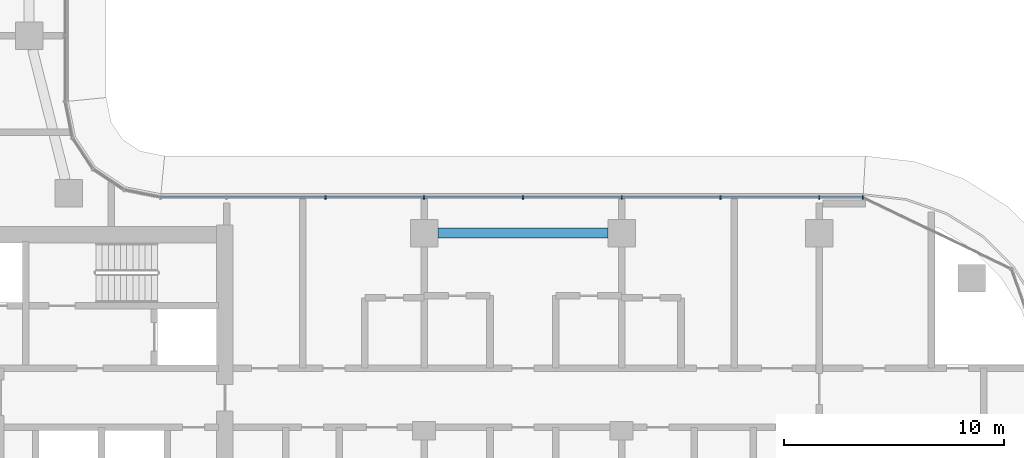
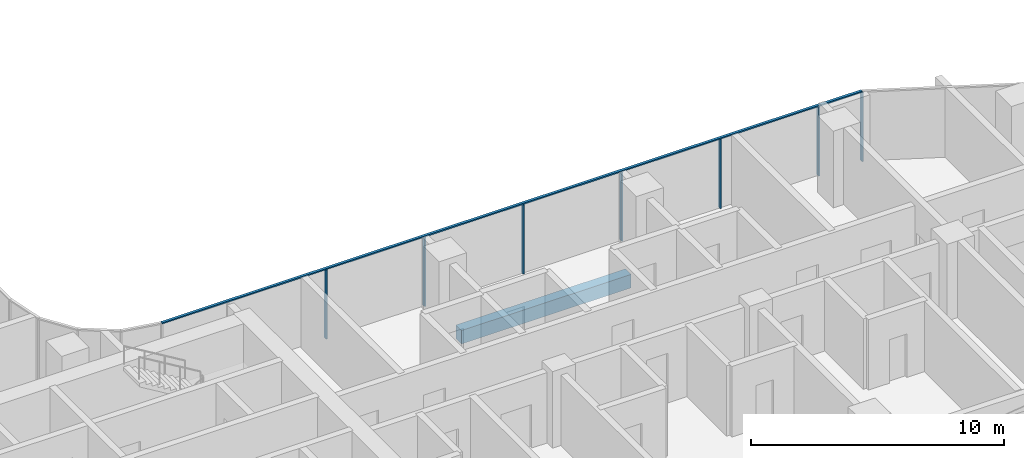
# One storey, part 4 of 25: 8 members, 1 beam, 1 element without a shape of its own.
"""IFC4 building model written with IfcOpenShell, lengths in metres."""

from ifc_helpers import new_model, si_unit, direction, frame, origin, origin_2d, place, context, subcontext, project, spatial, rectangle, extrude, material, material_profile, profile_set, type_object, element, aggregate, save


model = new_model("IFC4")

# Units and contexts
model_context = context("Model", 3, precision=1e-05, world=origin(), true_north=direction((0.0, 1.0)))
body_context = subcontext(model_context, "Body", "Model", "MODEL_VIEW")
ifc_project = project(units=[si_unit("LENGTHUNIT", "METRE"), si_unit("AREAUNIT", "SQUARE_METRE"), si_unit("VOLUMEUNIT", "CUBIC_METRE"), si_unit("PLANEANGLEUNIT", "RADIAN"), si_unit("MASSUNIT", "GRAM", prefix="KILO")], contexts=[model_context])

# Site, building, storey
site_placement = place(None, origin())
site = spatial("IfcSite", under=ifc_project, at=site_placement, CompositionType="ELEMENT")
building_placement = place(site_placement, origin())
building = spatial("IfcBuilding", under=site, at=building_placement, Name="Ogive Portal Towers", CompositionType="ELEMENT")
storey_placement = place(building_placement, frame((0.0, 0.0, 124.10009765625)))
storey = spatial("IfcBuildingStorey", under=building, at=storey_placement, Name="L30", CompositionType="ELEMENT", Elevation=124.10009765625)

# Curtain wall, members
ifc_material_1 = material(Name="Glass, clear low-iron insulated glazing", Category="glass")
curtain_wall_type = type_object("IfcCurtainWallType", Name="CW FRONT RIBBON 4500", PredefinedType="NOTDEFINED", material=ifc_material_1)
curtain_wall_placement = place(storey_placement, origin())
curtain_wall = element("IfcCurtainWall", 1, at=curtain_wall_placement, inside=storey, type_object=curtain_wall_type, Name="A:L30:f13:cw0", PredefinedType="NOTDEFINED")
ifc_material_2 = material(Name="Aluminium 6063 anodised", Category="aluminium")
ifc_material_profile_1 = material_profile(ifc_material_2, rectangle(XDim=0.159912109375, YDim=0.06005859375, at=origin_2d()), Name="AL 60x160")
ifc_profile_set_1 = profile_set([ifc_material_profile_1], Name="Aluminium 6063 anodised")
member_type_1 = type_object("IfcMemberType", Name="CW MULLION 60x160", PredefinedType="MULLION", material=ifc_profile_set_1)
member_1_placement = place(storey_placement, frame((87.481689453125, 41.135009765625, 0.0), z_axis=(0.0, 0.0, 1.0), x_axis=(0.0, -1.0, 0.0)))
member_1 = element("IfcMember", 2, at=member_1_placement, type_object=member_type_1, Name="mullion", PredefinedType="MULLION", context=body_context, shape_type="SweptSolid", body=[
    extrude(rectangle(XDim=0.159912109375, YDim=0.06005859375, at=origin_2d()), origin(), (0.0, 0.0, 1.0), 3.33984375),
])
member_2_placement = place(storey_placement, frame((85.5, 41.135009765625, 0.0), z_axis=(0.0, 0.0, 1.0), x_axis=(0.0, -1.0, 0.0)))
member_2 = element("IfcMember", 3, at=member_2_placement, type_object=member_type_1, Name="mullion", PredefinedType="MULLION", context=body_context, shape_type="SweptSolid", body=[
    extrude(rectangle(XDim=0.159912109375, YDim=0.06005859375, at=origin_2d()), origin(), (0.0, 0.0, 1.0), 3.33984375),
])
member_3_placement = place(storey_placement, frame((81.0, 41.135009765625, 0.0), z_axis=(0.0, 0.0, 1.0), x_axis=(0.0, -1.0, 0.0)))
member_3 = element("IfcMember", 4, at=member_3_placement, type_object=member_type_1, Name="mullion", PredefinedType="MULLION", context=body_context, shape_type="SweptSolid", body=[
    extrude(rectangle(XDim=0.159912109375, YDim=0.06005859375, at=origin_2d()), origin(), (0.0, 0.0, 1.0), 3.33984375),
])
member_4_placement = place(storey_placement, frame((76.5, 41.135009765625, 0.0), z_axis=(0.0, 0.0, 1.0), x_axis=(0.0, -1.0, 0.0)))
member_4 = element("IfcMember", 5, at=member_4_placement, type_object=member_type_1, Name="mullion", PredefinedType="MULLION", context=body_context, shape_type="SweptSolid", body=[
    extrude(rectangle(XDim=0.159912109375, YDim=0.06005859375, at=origin_2d()), origin(), (0.0, 0.0, 1.0), 3.33984375),
])
member_5_placement = place(storey_placement, frame((72.0, 41.135009765625, 0.0), z_axis=(0.0, 0.0, 1.0), x_axis=(0.0, -1.0, 0.0)))
member_5 = element("IfcMember", 6, at=member_5_placement, type_object=member_type_1, Name="mullion", PredefinedType="MULLION", context=body_context, shape_type="SweptSolid", body=[
    extrude(rectangle(XDim=0.159912109375, YDim=0.06005859375, at=origin_2d()), origin(), (0.0, 0.0, 1.0), 3.33984375),
])
member_6_placement = place(storey_placement, frame((67.5, 41.135009765625, 0.0), z_axis=(0.0, 0.0, 1.0), x_axis=(0.0, -1.0, 0.0)))
member_6 = element("IfcMember", 7, at=member_6_placement, type_object=member_type_1, Name="mullion", PredefinedType="MULLION", context=body_context, shape_type="SweptSolid", body=[
    extrude(rectangle(XDim=0.159912109375, YDim=0.06005859375, at=origin_2d()), origin(), (0.0, 0.0, 1.0), 3.33984375),
])
member_7_placement = place(storey_placement, frame((63.0, 41.135009765625, 0.0), z_axis=(0.0, 0.0, 1.0), x_axis=(0.0, -1.0, 0.0)))
member_7 = element("IfcMember", 8, at=member_7_placement, type_object=member_type_1, Name="mullion", PredefinedType="MULLION", context=body_context, shape_type="SweptSolid", body=[
    extrude(rectangle(XDim=0.159912109375, YDim=0.06005859375, at=origin_2d()), origin(), (0.0, 0.0, 1.0), 3.33984375),
])
ifc_material_profile_2 = material_profile(ifc_material_2, rectangle(XDim=0.1201171875, YDim=0.06005859375, at=origin_2d()), Name="AL 120x60")
ifc_profile_set_2 = profile_set([ifc_material_profile_2], Name="Aluminium 6063 anodised")
member_type_2 = type_object("IfcMemberType", Name="CW TRANSOM 60x120", PredefinedType="USERDEFINED", material=ifc_profile_set_2)
member_8_placement = place(storey_placement, frame((87.481689453125, 41.135009765625, 3.369873046875), z_axis=(-1.0, 0.0, 0.0), x_axis=(0.0, -1.0, 0.0)))
member_8 = element("IfcMember", 9, at=member_8_placement, type_object=member_type_2, Name="transom", ObjectType="TRANSOM", PredefinedType="USERDEFINED", context=body_context, shape_type="SweptSolid", body=[
    extrude(rectangle(XDim=0.1201171875, YDim=0.06005859375, at=origin_2d()), origin(), (0.0, 0.0, 1.0), 31.989501953125),
])
aggregate(curtain_wall, [member_8, member_1, member_2, member_3, member_4, member_5, member_6, member_7])

# Beam
ifc_material_3 = material(Name="Concrete C50/60", Category="concrete")
ifc_material_profile_3 = material_profile(ifc_material_3, rectangle(XDim=0.449951171875, YDim=0.64990234375, at=origin_2d()), Name="RC 450x650")
ifc_profile_set_3 = profile_set([ifc_material_profile_3], Name="Concrete C50/60")
beam_type = type_object("IfcBeamType", Name="SPANDREL BEAM RC 450x650", PredefinedType="BEAM", material=ifc_profile_set_3)
beam_placement = place(storey_placement, frame((68.125, 39.5, -0.625), z_axis=(1.0, 0.0, 0.0), x_axis=(0.0, 1.0, 0.0)))
element("IfcBeam", 10, at=beam_placement, inside=storey, type_object=beam_type, Name="Spandrel beam L30", PredefinedType="BEAM", context=body_context, shape_type="SweptSolid", body=[
    extrude(rectangle(XDim=0.449951171875, YDim=0.64990234375, at=origin_2d()), origin(), (0.0, 0.0, 1.0), 7.75),
])

save(model, "model.ifc")
